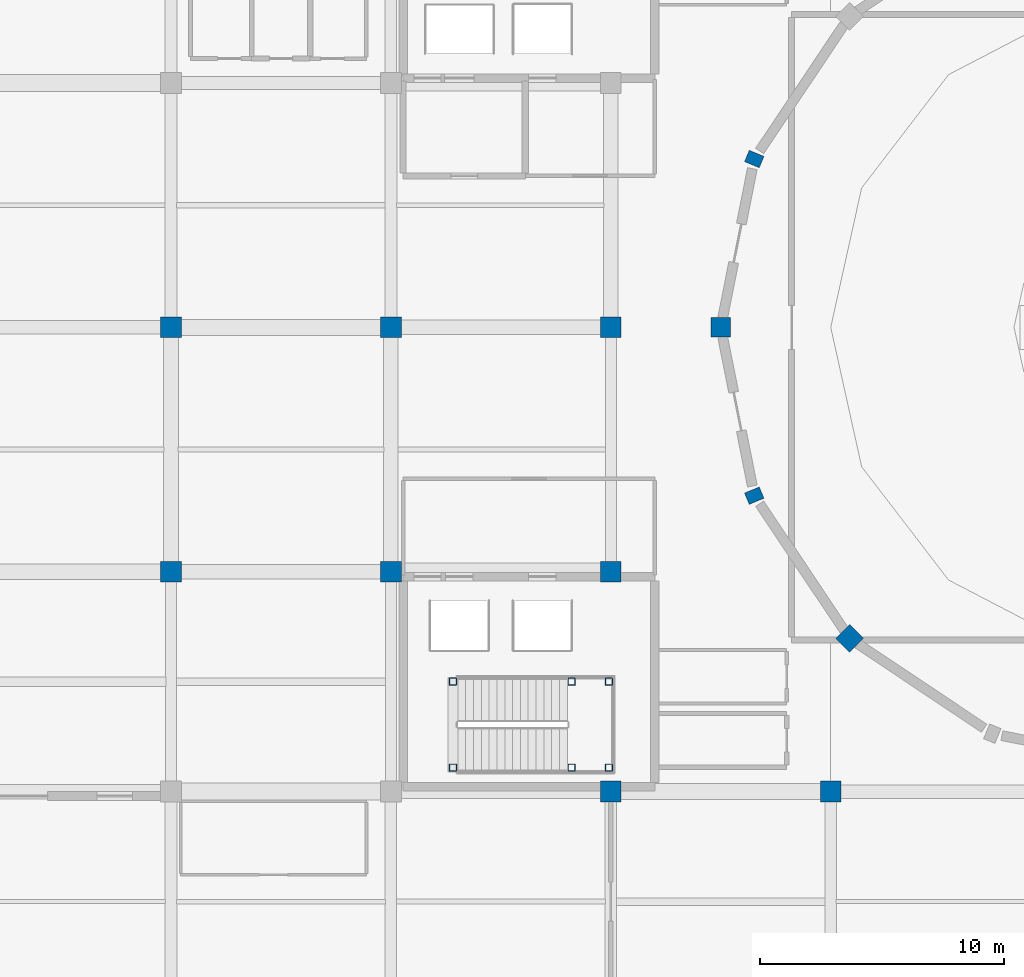
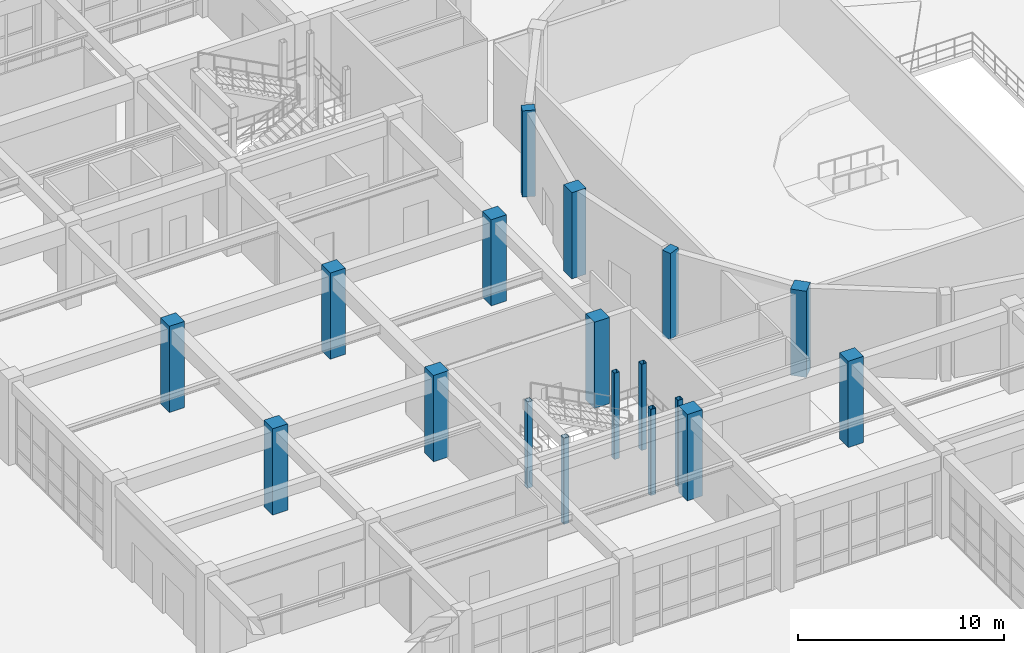
# One storey, part 3 of 128: 18 columns.
"""IFC4 building model written with IfcOpenShell, lengths in metres."""

from ifc_helpers import new_model, si_unit, direction, frame, origin, origin_2d, place, context, subcontext, project, spatial, rectangle, hollow_rectangle, extrude, material, material_profile, profile_set, type_object, element, save


model = new_model("IFC4")

# Units and contexts
model_context = context("Model", 3, precision=1e-05, world=origin(), true_north=direction((0.0, 1.0)))
body_context = subcontext(model_context, "Body", "Model", "MODEL_VIEW")
ifc_project = project(units=[si_unit("LENGTHUNIT", "METRE"), si_unit("AREAUNIT", "SQUARE_METRE"), si_unit("VOLUMEUNIT", "CUBIC_METRE"), si_unit("PLANEANGLEUNIT", "RADIAN"), si_unit("MASSUNIT", "GRAM", prefix="KILO")], contexts=[model_context])

# Site, building, storey
site_placement = place(None, origin())
site = spatial("IfcSite", under=ifc_project, at=site_placement, CompositionType="ELEMENT")
building_placement = place(site_placement, origin())
building = spatial("IfcBuilding", under=site, at=building_placement, Name="Miravela Opera House", CompositionType="ELEMENT")
storey_placement = place(building_placement, origin())
storey = spatial("IfcBuildingStorey", under=building, at=storey_placement, Name="L00", CompositionType="ELEMENT", Elevation=0.0)

# Columns
ifc_material_1 = material(Name="Hollow structural steel ASTM A500 Gr. C", Category="steel")
ifc_material_profile_1 = material_profile(ifc_material_1, hollow_rectangle(XDim=0.300048828125, YDim=0.300048828125, WallThickness=0.01611328125, InnerFilletRadius=0.01611328125, OuterFilletRadius=0.031982421875, at=origin_2d()), Name="HSS300X300X16")
ifc_profile_set_1 = profile_set([ifc_material_profile_1])
column_type_1 = type_object("IfcColumnType", Name="STR-COL-HSS300", PredefinedType="COLUMN", material=ifc_profile_set_1)
for number, where, z_axis, x_axis, name in (
    (1, (47.5400390625, 37.97998046875, 0.0), (0.0, 0.0, 1.0), (1.0, 0.0, 0.0), "Stair K2 Landing Support Column 1 (L00)"),
    (2, (47.5400390625, 41.5, 0.0), (0.0, 0.0, 1.0), (1.0, 0.0, 0.0), "Stair K2 Landing Support Column 2 (L00)"),
    (3, (52.39990234375, 37.97998046875, 0.0), (0.0, 0.0, 1.0), (1.0, 0.0, 0.0), "Stair K2 Landing Support Column 3 (L00)"),
    (4, (52.39990234375, 41.5, 0.0), (0.0, 0.0, 1.0), (1.0, 0.0, 0.0), "Stair K2 Landing Support Column 4 (L00)"),
    (5, (53.919921875, 37.97998046875, 0.0), (0.0, 0.0, 1.0), (1.0, 0.0, 0.0), "Stair K2 Landing Support Column 5 (L00)"),
    (6, (53.919921875, 41.5, 0.0), (0.0, 0.0, 1.0), (1.0, 0.0, 0.0), "Stair K2 Landing Support Column 6 (L00)"),
):
    element("IfcColumn", number, at=place(storey_placement, frame(where, z_axis=z_axis, x_axis=x_axis)), inside=storey, type_object=column_type_1, Name=name, PredefinedType="COLUMN", context=body_context, shape_type="SweptSolid", body=[
        extrude(hollow_rectangle(XDim=0.300048828125, YDim=0.300048828125, WallThickness=0.01611328125, InnerFilletRadius=0.01611328125, OuterFilletRadius=0.031982421875, at=origin_2d()), origin(), (0.0, 0.0, 1.0), 5.10009765625),
    ])
ifc_material_2 = material(Name="Concrete C40/50", Category="concrete")
ifc_material_profile_2 = material_profile(ifc_material_2, rectangle(XDim=0.85009765625, YDim=0.85009765625, at=origin_2d()), Name="RC-COL-850X850")
ifc_profile_set_2 = profile_set([ifc_material_profile_2])
column_type_2 = type_object("IfcColumnType", Name="STR-COL-RC850", PredefinedType="COLUMN", material=ifc_profile_set_2)
for number, where, z_axis, x_axis, name in (
    (7, (36.0, 46.0, 0.0), (0.0, 0.0, 1.0), (1.0, 0.0, 0.0), "Column C-5F (L00)"),
    (8, (36.0, 56.0, 0.0), (0.0, 0.0, 1.0), (1.0, 0.0, 0.0), "Column C-5G (L00)"),
    (9, (45.0, 46.0, 0.0), (0.0, 0.0, 1.0), (1.0, 0.0, 0.0), "Column C-6F (L00)"),
    (10, (45.0, 56.0, 0.0), (0.0, 0.0, 1.0), (1.0, 0.0, 0.0), "Column C-6G (L00)"),
    (11, (54.0, 37.0, 0.0), (0.0, 0.0, 1.0), (1.0, 0.0, 0.0), "Column C-7E (L00)"),
    (12, (54.0, 46.0, 0.0), (0.0, 0.0, 1.0), (1.0, 0.0, 0.0), "Column C-7F (L00)"),
    (13, (54.0, 56.0, 0.0), (0.0, 0.0, 1.0), (1.0, 0.0, 0.0), "Column C-7G (L00)"),
    (14, (63.0, 37.0, 0.0), (0.0, 0.0, 1.0), (1.0, 0.0, 0.0), "Column C-8E (L00)"),
):
    element("IfcColumn", number, at=place(storey_placement, frame(where, z_axis=z_axis, x_axis=x_axis)), inside=storey, type_object=column_type_2, Name=name, PredefinedType="COLUMN", context=body_context, shape_type="SweptSolid", body=[
        extrude(rectangle(XDim=0.85009765625, YDim=0.85009765625, at=origin_2d()), origin(), (0.0, 0.0, 1.0), 5.10009765625),
    ])
ifc_material_3 = material(Name="Concrete C35/45", Category="concrete")
ifc_material_profile_3 = material_profile(ifc_material_3, rectangle(XDim=0.64990234375, YDim=0.5, at=origin_2d()), Name="RC-PIL-650X500")
ifc_profile_set_3 = profile_set([ifc_material_profile_3])
column_type_3 = type_object("IfcColumnType", Name="STR-PIL-RC650X500", PredefinedType="PILASTER", material=ifc_profile_set_3)
for number, where, z_axis, x_axis, name in (
    (15, (59.8701171875, 62.88818359375, 0.0), (0.0, 0.0, 1.0), (-0.923879532511, 0.382683432365, 0.0), "Auditorium Drum Column DC-08 (L00)"),
    (16, (59.8701171875, 49.11181640625, 0.0), (0.0, 0.0, 1.0), (-0.923879532511, -0.382683432365, 0.0), "Auditorium Drum Column DC-10 (L00)"),
):
    element("IfcColumn", number, at=place(storey_placement, frame(where, z_axis=z_axis, x_axis=x_axis)), inside=storey, type_object=column_type_3, Name=name, PredefinedType="PILASTER", context=body_context, shape_type="SweptSolid", body=[
        extrude(rectangle(XDim=0.64990234375, YDim=0.5, at=origin_2d()), origin(), (0.0, 0.0, 1.0), 5.10009765625),
    ])
ifc_material_profile_4 = material_profile(ifc_material_2, rectangle(XDim=0.800048828125, YDim=0.800048828125, at=origin_2d()), Name="RC-COL-800X800")
ifc_profile_set_4 = profile_set([ifc_material_profile_4])
column_type_4 = type_object("IfcColumnType", Name="STR-PIL-RC800", PredefinedType="PILASTER", material=ifc_profile_set_4)
for number, where, z_axis, x_axis, name in (
    (17, (58.5, 56.0, 0.0), (0.0, 0.0, 1.0), (-1.0, 0.0, 0.0), "Auditorium Drum Column DC-09 (L00)"),
    (18, (63.772216796875, 43.272216796875, 0.0), (0.0, 0.0, 1.0), (-0.707106781187, -0.707106781187, 0.0), "Auditorium Drum Column DC-11 (L00)"),
):
    element("IfcColumn", number, at=place(storey_placement, frame(where, z_axis=z_axis, x_axis=x_axis)), inside=storey, type_object=column_type_4, Name=name, PredefinedType="PILASTER", context=body_context, shape_type="SweptSolid", body=[
        extrude(rectangle(XDim=0.800048828125, YDim=0.800048828125, at=origin_2d()), origin(), (0.0, 0.0, 1.0), 5.10009765625),
    ])

save(model, "model.ifc")
